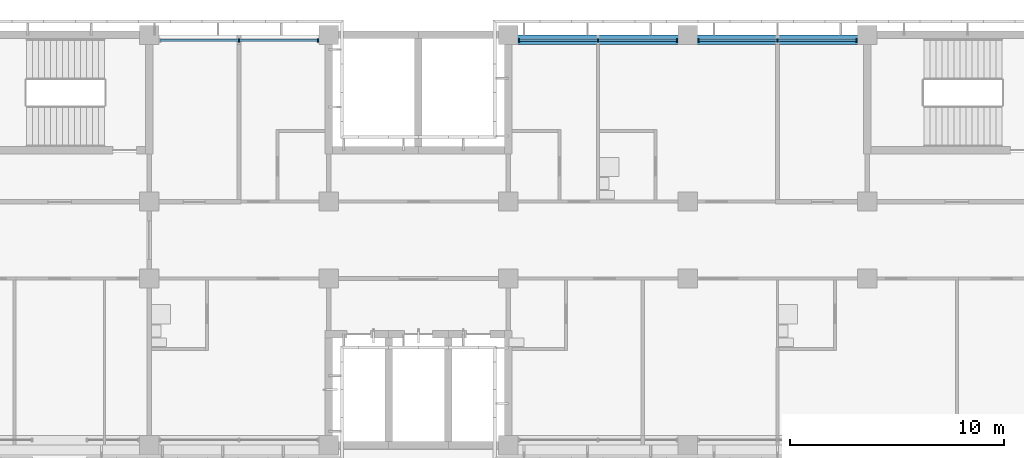
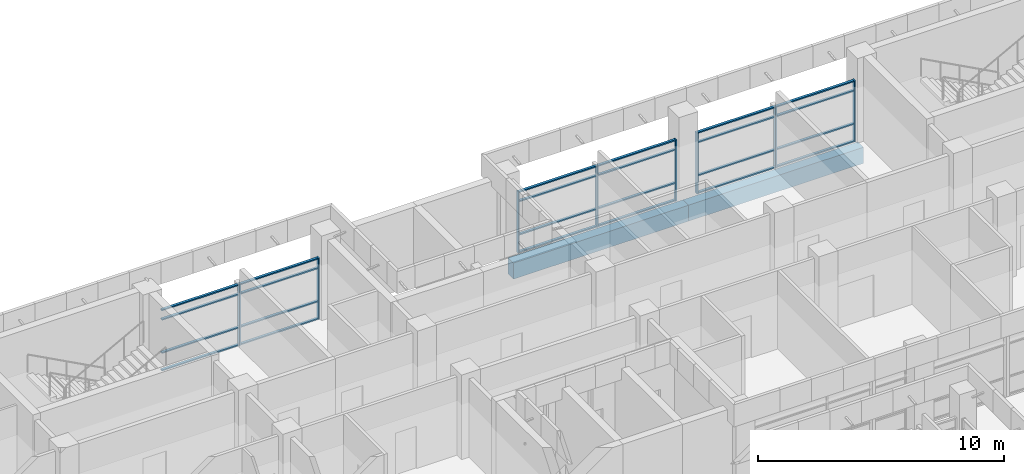
# One storey, part 45 of 137: 32 members, 2 beams, 3 elements without a shape of their own.
"""IFC4 building model written with IfcOpenShell, lengths in metres."""

import ifcopenshell
import ifcopenshell.guid

model = None  # the IFC model being written
_history = None  # IfcOwnerHistory: only IFC2X3 demands one
_inside = {}  # id of a spatial element -> (the spatial element, [elements in it])
_under = {}  # id of a project, library or spatial element -> (it, [spatial elements below it])
_declared = {}  # id of a project -> (the project, [libraries it declares])
_typed = {}  # id of a type object -> (the type object, [elements of that type])
_made_of = {}  # id of a material, layer set ... -> (it, [elements and type objects made of it])


def new_model(schema):
    """Start an empty IFC model of exactly this schema.

    Asked for "IFC4X3", IfcOpenShell would pick the latest addendum, in which some entities
    have other attributes; the version numbers below select the first issue.
    IFC2X3 requires an IfcOwnerHistory on every rooted entity: one is made here for all.
    """
    global model, _history
    if schema == "IFC4X3":
        model = ifcopenshell.file(schema_version=(4, 3, 0, 0))
    else:
        model = ifcopenshell.file(schema=schema)
    _inside.clear()
    _under.clear()
    _declared.clear()
    _typed.clear()
    _made_of.clear()
    _history = None
    if model.schema == "IFC2X3":
        org = make("IfcOrganization", Name="unknown")
        user = make(
            "IfcPersonAndOrganization",
            ThePerson=make("IfcPerson", FamilyName="unknown"),
            TheOrganization=org,
        )
        app = make(
            "IfcApplication",
            ApplicationDeveloper=org,
            Version="unknown",
            ApplicationFullName="unknown",
            ApplicationIdentifier="unknown",
        )
        _history = make(
            "IfcOwnerHistory",
            OwningUser=user,
            OwningApplication=app,
            ChangeAction="ADDED",
            CreationDate=0,
        )
    return model


def make(cls, **values):
    """One entity of the class cls with the attributes given. An attribute that is None is left unset."""
    return model.create_entity(
        cls, **{name: value for name, value in values.items() if value is not None}
    )


def rooted(cls, **values):
    """An entity with a GlobalId (a new one), such as an element, a storey or a relation."""
    return make(cls, GlobalId=ifcopenshell.guid.new(), OwnerHistory=_history, **values)


def si_unit(unit_type, name, prefix=None):
    """IfcSIUnit, for example si_unit("LENGTHUNIT", "METRE", prefix="MILLI")."""
    return make("IfcSIUnit", UnitType=unit_type, Prefix=prefix, Name=name)


def assignment(units):
    """IfcUnitAssignment: the units of a project."""
    return None if units is None else make("IfcUnitAssignment", Units=units)


def point(xyz):
    """IfcCartesianPoint."""
    return None if xyz is None else make("IfcCartesianPoint", Coordinates=xyz)


def direction(xyz):
    """IfcDirection."""
    return None if xyz is None else make("IfcDirection", DirectionRatios=xyz)


def frame(location, z_axis=None, x_axis=None):
    """IfcAxis2Placement3D, a coordinate frame: its origin and axes. An axis left out is left unset."""
    return make(
        "IfcAxis2Placement3D",
        Location=point(location),
        Axis=direction(z_axis),
        RefDirection=direction(x_axis),
    )


def frame_2d(location, x_axis=None):
    """IfcAxis2Placement2D, a coordinate frame in the plane: its origin and x axis."""
    return make(
        "IfcAxis2Placement2D", Location=point(location), RefDirection=direction(x_axis)
    )


def origin():
    """The frame at (0, 0, 0) with its axes left unset."""
    return frame((0.0, 0.0, 0.0))


def origin_2d():
    """The frame at (0, 0) in the plane with its x axis left unset."""
    return frame_2d((0.0, 0.0))


def place(relative_to, where):
    """IfcLocalPlacement: puts the frame where relative to a parent placement (None: the world)."""
    return make(
        "IfcLocalPlacement", PlacementRelTo=relative_to, RelativePlacement=where
    )


def context(
    kind, dimensions, precision=None, world=None, true_north=None, identifier=None
):
    """IfcGeometricRepresentationContext, for example the 3D "Model" context."""
    return make(
        "IfcGeometricRepresentationContext",
        ContextIdentifier=identifier,
        ContextType=kind,
        CoordinateSpaceDimension=dimensions,
        Precision=precision,
        WorldCoordinateSystem=world,
        TrueNorth=true_north,
    )


def subcontext(parent, identifier, kind, view, scale=None):
    """IfcGeometricRepresentationSubContext, for example "Body" below "Model"."""
    return make(
        "IfcGeometricRepresentationSubContext",
        ContextIdentifier=identifier,
        ContextType=kind,
        ParentContext=parent,
        TargetScale=scale,
        TargetView=view,
    )


def project(units=None, contexts=None):
    """IfcProject with its units and contexts."""
    return rooted(
        "IfcProject",
        Name="project",
        RepresentationContexts=contexts,
        UnitsInContext=assignment(units),
    )


def spatial(cls, under=None, at=None, **own):
    """A site, building, storey or space (cls), placed at a placement, below another one or the project."""
    s = rooted(cls, ObjectPlacement=at, **own)
    if under is not None:
        _under.setdefault(under.id(), (under, []))[1].append(s)
    return s


def profile(cls, at=None, kind="AREA", **sizes):
    """A parametric profile (cls). Its sizes go by their IFC names, for example OverallWidth=200.0."""
    return make(cls, ProfileType=kind, Position=at, **sizes)


def rectangle(**sizes):
    """IfcRectangleProfileDef."""
    return profile("IfcRectangleProfileDef", **sizes)


def extrude(swept, where, along, depth):
    """IfcExtrudedAreaSolid: the profile swept, set in the frame where, extruded along a direction by depth."""
    return make(
        "IfcExtrudedAreaSolid",
        SweptArea=swept,
        Position=where,
        ExtrudedDirection=direction(along),
        Depth=depth,
    )


def shape(context_of_items, identifier, shape_type, items):
    """IfcShapeRepresentation: the items that make up one representation, for example the "Body"."""
    return make(
        "IfcShapeRepresentation",
        ContextOfItems=context_of_items,
        RepresentationIdentifier=identifier,
        RepresentationType=shape_type,
        Items=items,
    )


def material(Name=None, Category=None):
    """IfcMaterial."""
    return make("IfcMaterial", Name=Name, Category=Category)


def material_profile(
    of_material, cross_section, Name=None, Category=None, Priority=None
):
    """IfcMaterialProfile: a cross section and its material."""
    return make(
        "IfcMaterialProfile",
        Name=Name,
        Material=of_material,
        Profile=cross_section,
        Priority=Priority,
        Category=Category,
    )


def profile_set(profiles, Name=None, composite=None):
    """IfcMaterialProfileSet."""
    return make(
        "IfcMaterialProfileSet",
        Name=Name,
        MaterialProfiles=profiles,
        CompositeProfile=composite,
    )


def made_of(thing, what):
    """Note that an element or type object is made of a material, layer set ...; save() writes the relation."""
    if what is not None:
        _made_of.setdefault(what.id(), (what, []))[1].append(thing)
    return thing


def type_object(cls, material=None, **own):
    """A type object (cls), such as IfcWallType, which elements share."""
    return made_of(rooted(cls, **own), material)


def element(
    cls,
    number,
    at=None,
    inside=None,
    cuts=None,
    type_object=None,
    material=None,
    context=None,
    identifier="Body",
    shape_type=None,
    held_by="IfcProductDefinitionShape",
    body=None,
    shapes=None,
    **own,
):
    """One element of the class cls, such as IfcWall. Its Tag is "e" and its number.

    at: its placement. inside: the storey or other place that contains it. cuts: it is an
    opening in that element (IfcRelVoidsElement). A single representation is given by context,
    identifier, shape_type and body (its items); several are given by shapes. held_by: the class
    of the entity that holds the representations. save() writes the other relations.
    """
    e = rooted(cls, Tag="e%d" % number, ObjectPlacement=at, **own)
    if body is not None:
        shapes = [shape(context, identifier, shape_type, body)]
    if shapes is not None:
        e.Representation = make(held_by, Representations=shapes)
    if inside is not None:
        _inside.setdefault(inside.id(), (inside, []))[1].append(e)
    if cuts is not None:
        rooted(
            "IfcRelVoidsElement", RelatingBuildingElement=cuts, RelatedOpeningElement=e
        )
    if type_object is not None:
        _typed.setdefault(type_object.id(), (type_object, []))[1].append(e)
    return made_of(e, material)


def aggregate(whole, parts):
    """IfcRelAggregates: a whole, such as a stair, and the parts it consists of."""
    return rooted("IfcRelAggregates", RelatingObject=whole, RelatedObjects=parts)


def save(model, path):
    """Write the relations noted so far, then the file.

    IfcRelAggregates (storeys below a building ...), IfcRelContainedInSpatialStructure (elements
    in a storey), IfcRelDefinesByType, IfcRelAssociatesMaterial and IfcRelDeclares: one each for
    every whole, place, type object, material and project.
    """
    for whole, parts in _under.values():
        aggregate(whole, parts)
    for where, things in _inside.values():
        rooted(
            "IfcRelContainedInSpatialStructure",
            RelatedElements=things,
            RelatingStructure=where,
        )
    for kind, things in _typed.values():
        rooted("IfcRelDefinesByType", RelatedObjects=things, RelatingType=kind)
    for what, things in _made_of.values():
        rooted("IfcRelAssociatesMaterial", RelatedObjects=things, RelatingMaterial=what)
    for by, libraries in _declared.values():
        rooted("IfcRelDeclares", RelatingContext=by, RelatedDefinitions=libraries)
    model.write(path)


model = new_model("IFC4")

# Units and contexts
model_context = context("Model", 3, precision=1e-05, world=origin(), true_north=direction((0.0, 1.0)))
body_context = subcontext(model_context, "Body", "Model", "MODEL_VIEW")
ifc_project = project(units=[si_unit("LENGTHUNIT", "METRE"), si_unit("AREAUNIT", "SQUARE_METRE"), si_unit("VOLUMEUNIT", "CUBIC_METRE"), si_unit("PLANEANGLEUNIT", "RADIAN"), si_unit("MASSUNIT", "GRAM", prefix="KILO")], contexts=[model_context])

# Site, building, storey
site_placement = place(None, origin())
site = spatial("IfcSite", under=ifc_project, at=site_placement, CompositionType="ELEMENT")
building_placement = place(site_placement, origin())
building = spatial("IfcBuilding", under=site, at=building_placement, Name="Bougainvillea Quay General Hospital", CompositionType="ELEMENT")
storey_placement = place(building_placement, frame((0.0, 0.0, 16.800048828125)))
storey = spatial("IfcBuildingStorey", under=building, at=storey_placement, Name="L03", CompositionType="ELEMENT", Elevation=16.800048828125)

# Curtain wall, members
ifc_material_1 = material(Name="Aluminium curtain wall system, powder-coated glazed", Category="aluminium")
curtain_wall_type = type_object("IfcCurtainWallType", Name="Unitised curtain wall CW-3730", PredefinedType="NOTDEFINED", material=ifc_material_1)
curtain_wall_1_placement = place(storey_placement, origin())
curtain_wall_1 = element("IfcCurtainWall", 1, at=curtain_wall_1_placement, inside=storey, type_object=curtain_wall_type, Name="CW-4200 00", PredefinedType="NOTDEFINED")
ifc_material_2 = material(Name="Aluminium mullion, powder-coated charcoal", Category="aluminium")
ifc_material_profile_1 = material_profile(ifc_material_2, rectangle(XDim=0.159912109375, YDim=0.06005859375, at=origin_2d()))
ifc_profile_set_1 = profile_set([ifc_material_profile_1], Name="Aluminium mullion, powder-coated charcoal")
member_type_1 = type_object("IfcMemberType", Name="Curtain wall mullion 160x60", PredefinedType="MULLION", material=ifc_profile_set_1)
member_1_placement = place(storey_placement, frame((175.89990234375, 159.35009765625, 0.0), z_axis=(0.0, 0.0, 1.0), x_axis=(0.0, -1.0, 0.0)))
member_1 = element("IfcMember", 2, at=member_1_placement, type_object=member_type_1, Name="CW-4200 mullion 1", PredefinedType="MULLION", context=body_context, shape_type="SweptSolid", body=[
    extrude(rectangle(XDim=0.159912109375, YDim=0.06005859375, at=origin_2d()), origin(), (0.0, 0.0, 1.0), 3.050048828125),
])
member_2_placement = place(storey_placement, frame((172.199951171875, 159.35009765625, 0.0), z_axis=(0.0, 0.0, 1.0), x_axis=(0.0, -1.0, 0.0)))
member_2 = element("IfcMember", 3, at=member_2_placement, type_object=member_type_1, Name="CW-4200 mullion 2", PredefinedType="MULLION", context=body_context, shape_type="SweptSolid", body=[
    extrude(rectangle(XDim=0.159912109375, YDim=0.06005859375, at=origin_2d()), origin(), (0.0, 0.0, 1.0), 3.050048828125),
])
member_3_placement = place(storey_placement, frame((168.5, 159.35009765625, 0.0), z_axis=(0.0, 0.0, 1.0), x_axis=(0.0, -1.0, 0.0)))
member_3 = element("IfcMember", 4, at=member_3_placement, type_object=member_type_1, Name="CW-4200 mullion 3", PredefinedType="MULLION", context=body_context, shape_type="SweptSolid", body=[
    extrude(rectangle(XDim=0.159912109375, YDim=0.06005859375, at=origin_2d()), origin(), (0.0, 0.0, 1.0), 3.050048828125),
])

curtain_wall_2_placement = place(storey_placement, origin())
curtain_wall_2 = element("IfcCurtainWall", 5, at=curtain_wall_2_placement, inside=storey, type_object=curtain_wall_type, Name="CW-4200 01", PredefinedType="NOTDEFINED")
member_4_placement = place(storey_placement, frame((167.5, 159.35009765625, 0.0), z_axis=(0.0, 0.0, 1.0), x_axis=(0.0, -1.0, 0.0)))
member_4 = element("IfcMember", 6, at=member_4_placement, type_object=member_type_1, Name="CW-4200 mullion 1", PredefinedType="MULLION", context=body_context, shape_type="SweptSolid", body=[
    extrude(rectangle(XDim=0.159912109375, YDim=0.06005859375, at=origin_2d()), origin(), (0.0, 0.0, 1.0), 3.050048828125),
])
member_5_placement = place(storey_placement, frame((163.800048828125, 159.35009765625, 0.0), z_axis=(0.0, 0.0, 1.0), x_axis=(0.0, -1.0, 0.0)))
member_5 = element("IfcMember", 7, at=member_5_placement, type_object=member_type_1, Name="CW-4200 mullion 2", PredefinedType="MULLION", context=body_context, shape_type="SweptSolid", body=[
    extrude(rectangle(XDim=0.159912109375, YDim=0.06005859375, at=origin_2d()), origin(), (0.0, 0.0, 1.0), 3.050048828125),
])
member_6_placement = place(storey_placement, frame((160.10009765625, 159.35009765625, 0.0), z_axis=(0.0, 0.0, 1.0), x_axis=(0.0, -1.0, 0.0)))
member_6 = element("IfcMember", 8, at=member_6_placement, type_object=member_type_1, Name="CW-4200 mullion 3", PredefinedType="MULLION", context=body_context, shape_type="SweptSolid", body=[
    extrude(rectangle(XDim=0.159912109375, YDim=0.06005859375, at=origin_2d()), origin(), (0.0, 0.0, 1.0), 3.050048828125),
])

curtain_wall_3_placement = place(storey_placement, origin())
curtain_wall_3 = element("IfcCurtainWall", 9, at=curtain_wall_3_placement, inside=storey, type_object=curtain_wall_type, Name="CW-4200 00", PredefinedType="NOTDEFINED")
member_7_placement = place(storey_placement, frame((150.699951171875, 159.35009765625, 0.0), z_axis=(0.0, 0.0, 1.0), x_axis=(0.0, -1.0, 0.0)))
member_7 = element("IfcMember", 10, at=member_7_placement, type_object=member_type_1, Name="CW-4200 mullion 1", PredefinedType="MULLION", context=body_context, shape_type="SweptSolid", body=[
    extrude(rectangle(XDim=0.159912109375, YDim=0.06005859375, at=origin_2d()), origin(), (0.0, 0.0, 1.0), 3.050048828125),
])
member_8_placement = place(storey_placement, frame((147.0, 159.35009765625, 0.0), z_axis=(0.0, 0.0, 1.0), x_axis=(0.0, -1.0, 0.0)))
member_8 = element("IfcMember", 11, at=member_8_placement, type_object=member_type_1, Name="CW-4200 mullion 2", PredefinedType="MULLION", context=body_context, shape_type="SweptSolid", body=[
    extrude(rectangle(XDim=0.159912109375, YDim=0.06005859375, at=origin_2d()), origin(), (0.0, 0.0, 1.0), 3.050048828125),
])

# Member
ifc_material_3 = material(Name="Aluminium transom, powder-coated charcoal", Category="aluminium")
ifc_material_profile_2 = material_profile(ifc_material_3, rectangle(XDim=0.1201171875, YDim=0.06005859375, at=origin_2d()))
ifc_profile_set_2 = profile_set([ifc_material_profile_2], Name="Aluminium transom, powder-coated charcoal")
member_type_2 = type_object("IfcMemberType", Name="Curtain wall transom 120x60", PredefinedType="USERDEFINED", material=ifc_profile_set_2)
member_9_placement = place(storey_placement, frame((175.8701171875, 159.35009765625, 0.030029296875), z_axis=(-1.0, 0.0, 0.0), x_axis=(0.0, -1.0, 0.0)))
member_9 = element("IfcMember", 12, at=member_9_placement, type_object=member_type_2, Name="CW-4200 transom 1.1", ObjectType="TRANSOM", PredefinedType="USERDEFINED", context=body_context, shape_type="SweptSolid", body=[
    extrude(rectangle(XDim=0.1201171875, YDim=0.06005859375, at=origin_2d()), origin(), (0.0, 0.0, 1.0), 3.64013671875),
])

member_10_placement = place(storey_placement, frame((175.8701171875, 159.35009765625, 0.89990234375), z_axis=(-1.0, 0.0, 0.0), x_axis=(0.0, -1.0, 0.0)))
member_10 = element("IfcMember", 13, at=member_10_placement, type_object=member_type_2, Name="CW-4200 transom 1.2", ObjectType="TRANSOM", PredefinedType="USERDEFINED", context=body_context, shape_type="SweptSolid", body=[
    extrude(rectangle(XDim=0.1201171875, YDim=0.06005859375, at=origin_2d()), origin(), (0.0, 0.0, 1.0), 3.64013671875),
])

member_11_placement = place(storey_placement, frame((175.8701171875, 159.35009765625, 2.550048828125), z_axis=(-1.0, 0.0, 0.0), x_axis=(0.0, -1.0, 0.0)))
member_11 = element("IfcMember", 14, at=member_11_placement, type_object=member_type_2, Name="CW-4200 transom 1.3", ObjectType="TRANSOM", PredefinedType="USERDEFINED", context=body_context, shape_type="SweptSolid", body=[
    extrude(rectangle(XDim=0.1201171875, YDim=0.06005859375, at=origin_2d()), origin(), (0.0, 0.0, 1.0), 3.64013671875),
])

member_12_placement = place(storey_placement, frame((175.8701171875, 159.35009765625, 3.02001953125), z_axis=(-1.0, 0.0, 0.0), x_axis=(0.0, -1.0, 0.0)))
member_12 = element("IfcMember", 15, at=member_12_placement, type_object=member_type_2, Name="CW-4200 transom 1.4", ObjectType="TRANSOM", PredefinedType="USERDEFINED", context=body_context, shape_type="SweptSolid", body=[
    extrude(rectangle(XDim=0.1201171875, YDim=0.06005859375, at=origin_2d()), origin(), (0.0, 0.0, 1.0), 3.64013671875),
])

member_13_placement = place(storey_placement, frame((172.169921875, 159.35009765625, 0.030029296875), z_axis=(-1.0, 0.0, 0.0), x_axis=(0.0, -1.0, 0.0)))
member_13 = element("IfcMember", 16, at=member_13_placement, type_object=member_type_2, Name="CW-4200 transom 2.1", ObjectType="TRANSOM", PredefinedType="USERDEFINED", context=body_context, shape_type="SweptSolid", body=[
    extrude(rectangle(XDim=0.1201171875, YDim=0.06005859375, at=origin_2d()), origin(), (0.0, 0.0, 1.0), 3.639892578125),
])

member_14_placement = place(storey_placement, frame((172.169921875, 159.35009765625, 0.89990234375), z_axis=(-1.0, 0.0, 0.0), x_axis=(0.0, -1.0, 0.0)))
member_14 = element("IfcMember", 17, at=member_14_placement, type_object=member_type_2, Name="CW-4200 transom 2.2", ObjectType="TRANSOM", PredefinedType="USERDEFINED", context=body_context, shape_type="SweptSolid", body=[
    extrude(rectangle(XDim=0.1201171875, YDim=0.06005859375, at=origin_2d()), origin(), (0.0, 0.0, 1.0), 3.639892578125),
])

member_15_placement = place(storey_placement, frame((172.169921875, 159.35009765625, 2.550048828125), z_axis=(-1.0, 0.0, 0.0), x_axis=(0.0, -1.0, 0.0)))
member_15 = element("IfcMember", 18, at=member_15_placement, type_object=member_type_2, Name="CW-4200 transom 2.3", ObjectType="TRANSOM", PredefinedType="USERDEFINED", context=body_context, shape_type="SweptSolid", body=[
    extrude(rectangle(XDim=0.1201171875, YDim=0.06005859375, at=origin_2d()), origin(), (0.0, 0.0, 1.0), 3.639892578125),
])

member_16_placement = place(storey_placement, frame((172.169921875, 159.35009765625, 3.02001953125), z_axis=(-1.0, 0.0, 0.0), x_axis=(0.0, -1.0, 0.0)))
member_16 = element("IfcMember", 19, at=member_16_placement, type_object=member_type_2, Name="CW-4200 transom 2.4", ObjectType="TRANSOM", PredefinedType="USERDEFINED", context=body_context, shape_type="SweptSolid", body=[
    extrude(rectangle(XDim=0.1201171875, YDim=0.06005859375, at=origin_2d()), origin(), (0.0, 0.0, 1.0), 3.639892578125),
])

aggregate(curtain_wall_1, [member_1, member_2, member_3, member_9, member_10, member_11, member_12, member_13, member_14, member_15, member_16])

member_17_placement = place(storey_placement, frame((167.469970703125, 159.35009765625, 0.030029296875), z_axis=(-1.0, 0.0, 0.0), x_axis=(0.0, -1.0, 0.0)))
member_17 = element("IfcMember", 20, at=member_17_placement, type_object=member_type_2, Name="CW-4200 transom 1.1", ObjectType="TRANSOM", PredefinedType="USERDEFINED", context=body_context, shape_type="SweptSolid", body=[
    extrude(rectangle(XDim=0.1201171875, YDim=0.06005859375, at=origin_2d()), origin(), (0.0, 0.0, 1.0), 3.639892578125),
])

member_18_placement = place(storey_placement, frame((167.469970703125, 159.35009765625, 0.89990234375), z_axis=(-1.0, 0.0, 0.0), x_axis=(0.0, -1.0, 0.0)))
member_18 = element("IfcMember", 21, at=member_18_placement, type_object=member_type_2, Name="CW-4200 transom 1.2", ObjectType="TRANSOM", PredefinedType="USERDEFINED", context=body_context, shape_type="SweptSolid", body=[
    extrude(rectangle(XDim=0.1201171875, YDim=0.06005859375, at=origin_2d()), origin(), (0.0, 0.0, 1.0), 3.639892578125),
])

member_19_placement = place(storey_placement, frame((167.469970703125, 159.35009765625, 2.550048828125), z_axis=(-1.0, 0.0, 0.0), x_axis=(0.0, -1.0, 0.0)))
member_19 = element("IfcMember", 22, at=member_19_placement, type_object=member_type_2, Name="CW-4200 transom 1.3", ObjectType="TRANSOM", PredefinedType="USERDEFINED", context=body_context, shape_type="SweptSolid", body=[
    extrude(rectangle(XDim=0.1201171875, YDim=0.06005859375, at=origin_2d()), origin(), (0.0, 0.0, 1.0), 3.639892578125),
])

member_20_placement = place(storey_placement, frame((167.469970703125, 159.35009765625, 3.02001953125), z_axis=(-1.0, 0.0, 0.0), x_axis=(0.0, -1.0, 0.0)))
member_20 = element("IfcMember", 23, at=member_20_placement, type_object=member_type_2, Name="CW-4200 transom 1.4", ObjectType="TRANSOM", PredefinedType="USERDEFINED", context=body_context, shape_type="SweptSolid", body=[
    extrude(rectangle(XDim=0.1201171875, YDim=0.06005859375, at=origin_2d()), origin(), (0.0, 0.0, 1.0), 3.639892578125),
])

member_21_placement = place(storey_placement, frame((163.77001953125, 159.35009765625, 0.030029296875), z_axis=(-1.0, 0.0, 0.0), x_axis=(0.0, -1.0, 0.0)))
member_21 = element("IfcMember", 24, at=member_21_placement, type_object=member_type_2, Name="CW-4200 transom 2.1", ObjectType="TRANSOM", PredefinedType="USERDEFINED", context=body_context, shape_type="SweptSolid", body=[
    extrude(rectangle(XDim=0.1201171875, YDim=0.06005859375, at=origin_2d()), origin(), (0.0, 0.0, 1.0), 3.64013671875),
])

member_22_placement = place(storey_placement, frame((163.77001953125, 159.35009765625, 0.89990234375), z_axis=(-1.0, 0.0, 0.0), x_axis=(0.0, -1.0, 0.0)))
member_22 = element("IfcMember", 25, at=member_22_placement, type_object=member_type_2, Name="CW-4200 transom 2.2", ObjectType="TRANSOM", PredefinedType="USERDEFINED", context=body_context, shape_type="SweptSolid", body=[
    extrude(rectangle(XDim=0.1201171875, YDim=0.06005859375, at=origin_2d()), origin(), (0.0, 0.0, 1.0), 3.64013671875),
])

member_23_placement = place(storey_placement, frame((163.77001953125, 159.35009765625, 2.550048828125), z_axis=(-1.0, 0.0, 0.0), x_axis=(0.0, -1.0, 0.0)))
member_23 = element("IfcMember", 26, at=member_23_placement, type_object=member_type_2, Name="CW-4200 transom 2.3", ObjectType="TRANSOM", PredefinedType="USERDEFINED", context=body_context, shape_type="SweptSolid", body=[
    extrude(rectangle(XDim=0.1201171875, YDim=0.06005859375, at=origin_2d()), origin(), (0.0, 0.0, 1.0), 3.64013671875),
])

member_24_placement = place(storey_placement, frame((163.77001953125, 159.35009765625, 3.02001953125), z_axis=(-1.0, 0.0, 0.0), x_axis=(0.0, -1.0, 0.0)))
member_24 = element("IfcMember", 27, at=member_24_placement, type_object=member_type_2, Name="CW-4200 transom 2.4", ObjectType="TRANSOM", PredefinedType="USERDEFINED", context=body_context, shape_type="SweptSolid", body=[
    extrude(rectangle(XDim=0.1201171875, YDim=0.06005859375, at=origin_2d()), origin(), (0.0, 0.0, 1.0), 3.64013671875),
])

aggregate(curtain_wall_2, [member_4, member_5, member_6, member_17, member_18, member_19, member_20, member_21, member_22, member_23, member_24])

member_25_placement = place(storey_placement, frame((150.669921875, 159.35009765625, 0.030029296875), z_axis=(-1.0, 0.0, 0.0), x_axis=(0.0, -1.0, 0.0)))
member_25 = element("IfcMember", 28, at=member_25_placement, type_object=member_type_2, Name="CW-4200 transom 1.1", ObjectType="TRANSOM", PredefinedType="USERDEFINED", context=body_context, shape_type="SweptSolid", body=[
    extrude(rectangle(XDim=0.1201171875, YDim=0.06005859375, at=origin_2d()), origin(), (0.0, 0.0, 1.0), 3.639892578125),
])

member_26_placement = place(storey_placement, frame((150.669921875, 159.35009765625, 0.89990234375), z_axis=(-1.0, 0.0, 0.0), x_axis=(0.0, -1.0, 0.0)))
member_26 = element("IfcMember", 29, at=member_26_placement, type_object=member_type_2, Name="CW-4200 transom 1.2", ObjectType="TRANSOM", PredefinedType="USERDEFINED", context=body_context, shape_type="SweptSolid", body=[
    extrude(rectangle(XDim=0.1201171875, YDim=0.06005859375, at=origin_2d()), origin(), (0.0, 0.0, 1.0), 3.639892578125),
])

member_27_placement = place(storey_placement, frame((150.669921875, 159.35009765625, 2.550048828125), z_axis=(-1.0, 0.0, 0.0), x_axis=(0.0, -1.0, 0.0)))
member_27 = element("IfcMember", 30, at=member_27_placement, type_object=member_type_2, Name="CW-4200 transom 1.3", ObjectType="TRANSOM", PredefinedType="USERDEFINED", context=body_context, shape_type="SweptSolid", body=[
    extrude(rectangle(XDim=0.1201171875, YDim=0.06005859375, at=origin_2d()), origin(), (0.0, 0.0, 1.0), 3.639892578125),
])

member_28_placement = place(storey_placement, frame((150.669921875, 159.35009765625, 3.02001953125), z_axis=(-1.0, 0.0, 0.0), x_axis=(0.0, -1.0, 0.0)))
member_28 = element("IfcMember", 31, at=member_28_placement, type_object=member_type_2, Name="CW-4200 transom 1.4", ObjectType="TRANSOM", PredefinedType="USERDEFINED", context=body_context, shape_type="SweptSolid", body=[
    extrude(rectangle(XDim=0.1201171875, YDim=0.06005859375, at=origin_2d()), origin(), (0.0, 0.0, 1.0), 3.639892578125),
])

member_29_placement = place(storey_placement, frame((146.969970703125, 159.35009765625, 0.030029296875), z_axis=(-1.0, 0.0, 0.0), x_axis=(0.0, -1.0, 0.0)))
member_29 = element("IfcMember", 32, at=member_29_placement, type_object=member_type_2, Name="CW-4200 transom 2.1", ObjectType="TRANSOM", PredefinedType="USERDEFINED", context=body_context, shape_type="SweptSolid", body=[
    extrude(rectangle(XDim=0.1201171875, YDim=0.06005859375, at=origin_2d()), origin(), (0.0, 0.0, 1.0), 3.639892578125),
])

member_30_placement = place(storey_placement, frame((146.969970703125, 159.35009765625, 0.89990234375), z_axis=(-1.0, 0.0, 0.0), x_axis=(0.0, -1.0, 0.0)))
member_30 = element("IfcMember", 33, at=member_30_placement, type_object=member_type_2, Name="CW-4200 transom 2.2", ObjectType="TRANSOM", PredefinedType="USERDEFINED", context=body_context, shape_type="SweptSolid", body=[
    extrude(rectangle(XDim=0.1201171875, YDim=0.06005859375, at=origin_2d()), origin(), (0.0, 0.0, 1.0), 3.639892578125),
])

member_31_placement = place(storey_placement, frame((146.969970703125, 159.35009765625, 2.550048828125), z_axis=(-1.0, 0.0, 0.0), x_axis=(0.0, -1.0, 0.0)))
member_31 = element("IfcMember", 34, at=member_31_placement, type_object=member_type_2, Name="CW-4200 transom 2.3", ObjectType="TRANSOM", PredefinedType="USERDEFINED", context=body_context, shape_type="SweptSolid", body=[
    extrude(rectangle(XDim=0.1201171875, YDim=0.06005859375, at=origin_2d()), origin(), (0.0, 0.0, 1.0), 3.639892578125),
])

member_32_placement = place(storey_placement, frame((146.969970703125, 159.35009765625, 3.02001953125), z_axis=(-1.0, 0.0, 0.0), x_axis=(0.0, -1.0, 0.0)))
member_32 = element("IfcMember", 35, at=member_32_placement, type_object=member_type_2, Name="CW-4200 transom 2.4", ObjectType="TRANSOM", PredefinedType="USERDEFINED", context=body_context, shape_type="SweptSolid", body=[
    extrude(rectangle(XDim=0.1201171875, YDim=0.06005859375, at=origin_2d()), origin(), (0.0, 0.0, 1.0), 3.639892578125),
])

aggregate(curtain_wall_3, [member_7, member_8, member_25, member_26, member_27, member_28, member_29, member_30, member_31, member_32])

# Beams
ifc_material_4 = material(Name="Concrete C40", Category="concrete")
ifc_material_profile_3 = material_profile(ifc_material_4, rectangle(XDim=0.449951171875, YDim=0.800048828125, at=origin_2d()))
ifc_profile_set_3 = profile_set([ifc_material_profile_3], Name="Concrete C40")
beam_type = type_object("IfcBeamType", Name="RC BEAM 450x800 C40", PredefinedType="BEAM", material=ifc_profile_set_3)
for number, where, z_axis, x_axis, name in (
    (36, (176.22509765625, 159.375, -0.699951171875), (-1.0, 0.0, 0.0), (0.0, -1.0, 0.0), "Edge beam L03"),
    (37, (168.0, 159.375, -0.699951171875), (-1.0, 0.0, 0.0), (0.0, -1.0, 0.0), "Edge beam L03"),
):
    element("IfcBeam", number, at=place(storey_placement, frame(where, z_axis=z_axis, x_axis=x_axis)), inside=storey, type_object=beam_type, Name=name, PredefinedType="BEAM", context=body_context, shape_type="SweptSolid", body=[
        extrude(rectangle(XDim=0.449951171875, YDim=0.800048828125, at=origin_2d()), origin(), (0.0, 0.0, 1.0), 8.22509765625),
    ])

save(model, "model.ifc")
